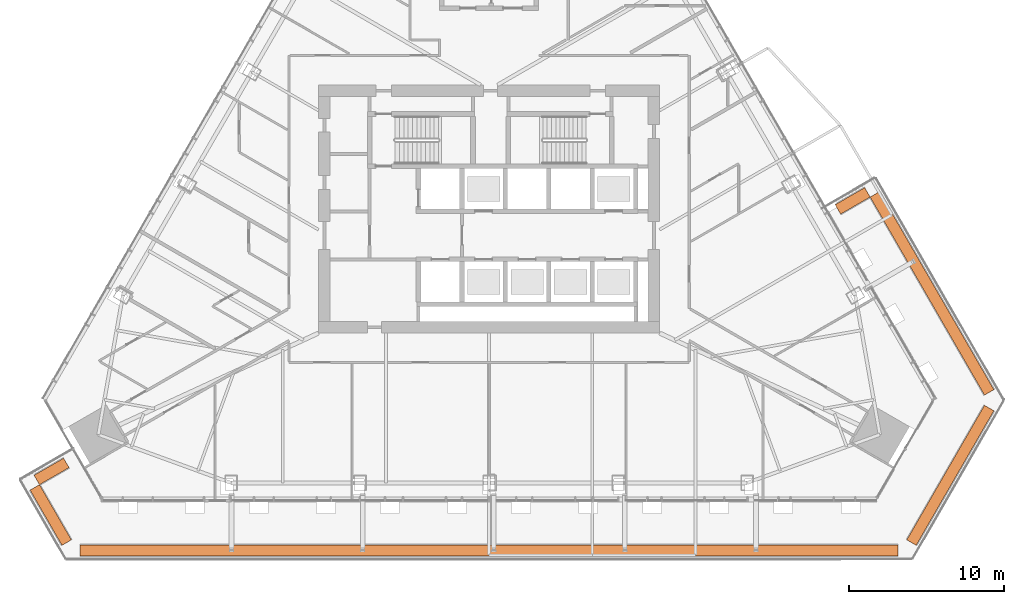
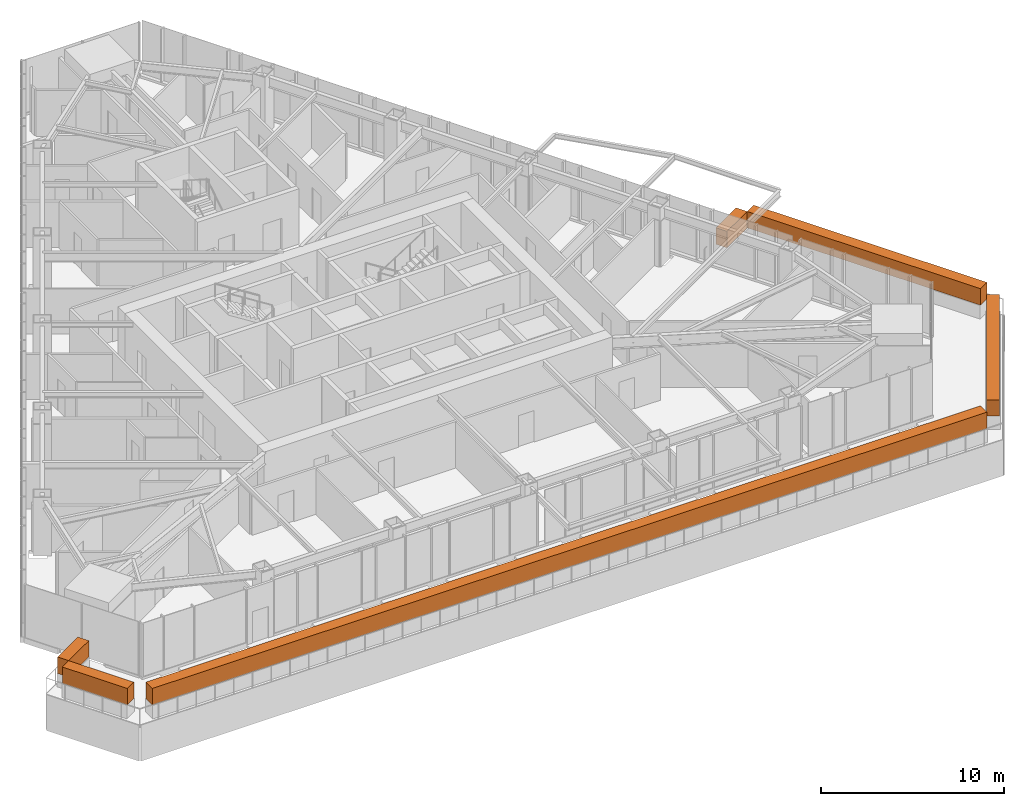
# One storey, part 21 of 21: 6 geographic elements.
"""IFC4 building model written with IfcOpenShell, lengths in metres."""

import ifcopenshell
import ifcopenshell.guid

model = None  # the IFC model being written
_history = None  # IfcOwnerHistory: only IFC2X3 demands one
_inside = {}  # id of a spatial element -> (the spatial element, [elements in it])
_under = {}  # id of a project, library or spatial element -> (it, [spatial elements below it])
_declared = {}  # id of a project -> (the project, [libraries it declares])
_typed = {}  # id of a type object -> (the type object, [elements of that type])
_made_of = {}  # id of a material, layer set ... -> (it, [elements and type objects made of it])


def new_model(schema):
    """Start an empty IFC model of exactly this schema.

    Asked for "IFC4X3", IfcOpenShell would pick the latest addendum, in which some entities
    have other attributes; the version numbers below select the first issue.
    IFC2X3 requires an IfcOwnerHistory on every rooted entity: one is made here for all.
    """
    global model, _history
    if schema == "IFC4X3":
        model = ifcopenshell.file(schema_version=(4, 3, 0, 0))
    else:
        model = ifcopenshell.file(schema=schema)
    _inside.clear()
    _under.clear()
    _declared.clear()
    _typed.clear()
    _made_of.clear()
    _history = None
    if model.schema == "IFC2X3":
        org = make("IfcOrganization", Name="unknown")
        user = make(
            "IfcPersonAndOrganization",
            ThePerson=make("IfcPerson", FamilyName="unknown"),
            TheOrganization=org,
        )
        app = make(
            "IfcApplication",
            ApplicationDeveloper=org,
            Version="unknown",
            ApplicationFullName="unknown",
            ApplicationIdentifier="unknown",
        )
        _history = make(
            "IfcOwnerHistory",
            OwningUser=user,
            OwningApplication=app,
            ChangeAction="ADDED",
            CreationDate=0,
        )
    return model


def make(cls, **values):
    """One entity of the class cls with the attributes given. An attribute that is None is left unset."""
    return model.create_entity(
        cls, **{name: value for name, value in values.items() if value is not None}
    )


def rooted(cls, **values):
    """An entity with a GlobalId (a new one), such as an element, a storey or a relation."""
    return make(cls, GlobalId=ifcopenshell.guid.new(), OwnerHistory=_history, **values)


def si_unit(unit_type, name, prefix=None):
    """IfcSIUnit, for example si_unit("LENGTHUNIT", "METRE", prefix="MILLI")."""
    return make("IfcSIUnit", UnitType=unit_type, Prefix=prefix, Name=name)


def assignment(units):
    """IfcUnitAssignment: the units of a project."""
    return None if units is None else make("IfcUnitAssignment", Units=units)


def point(xyz):
    """IfcCartesianPoint."""
    return None if xyz is None else make("IfcCartesianPoint", Coordinates=xyz)


def direction(xyz):
    """IfcDirection."""
    return None if xyz is None else make("IfcDirection", DirectionRatios=xyz)


def frame(location, z_axis=None, x_axis=None):
    """IfcAxis2Placement3D, a coordinate frame: its origin and axes. An axis left out is left unset."""
    return make(
        "IfcAxis2Placement3D",
        Location=point(location),
        Axis=direction(z_axis),
        RefDirection=direction(x_axis),
    )


def frame_2d(location, x_axis=None):
    """IfcAxis2Placement2D, a coordinate frame in the plane: its origin and x axis."""
    return make(
        "IfcAxis2Placement2D", Location=point(location), RefDirection=direction(x_axis)
    )


def origin():
    """The frame at (0, 0, 0) with its axes left unset."""
    return frame((0.0, 0.0, 0.0))


def origin_2d():
    """The frame at (0, 0) in the plane with its x axis left unset."""
    return frame_2d((0.0, 0.0))


def place(relative_to, where):
    """IfcLocalPlacement: puts the frame where relative to a parent placement (None: the world)."""
    return make(
        "IfcLocalPlacement", PlacementRelTo=relative_to, RelativePlacement=where
    )


def context(
    kind, dimensions, precision=None, world=None, true_north=None, identifier=None
):
    """IfcGeometricRepresentationContext, for example the 3D "Model" context."""
    return make(
        "IfcGeometricRepresentationContext",
        ContextIdentifier=identifier,
        ContextType=kind,
        CoordinateSpaceDimension=dimensions,
        Precision=precision,
        WorldCoordinateSystem=world,
        TrueNorth=true_north,
    )


def subcontext(parent, identifier, kind, view, scale=None):
    """IfcGeometricRepresentationSubContext, for example "Body" below "Model"."""
    return make(
        "IfcGeometricRepresentationSubContext",
        ContextIdentifier=identifier,
        ContextType=kind,
        ParentContext=parent,
        TargetScale=scale,
        TargetView=view,
    )


def project(units=None, contexts=None):
    """IfcProject with its units and contexts."""
    return rooted(
        "IfcProject",
        Name="project",
        RepresentationContexts=contexts,
        UnitsInContext=assignment(units),
    )


def spatial(cls, under=None, at=None, **own):
    """A site, building, storey or space (cls), placed at a placement, below another one or the project."""
    s = rooted(cls, ObjectPlacement=at, **own)
    if under is not None:
        _under.setdefault(under.id(), (under, []))[1].append(s)
    return s


def profile(cls, at=None, kind="AREA", **sizes):
    """A parametric profile (cls). Its sizes go by their IFC names, for example OverallWidth=200.0."""
    return make(cls, ProfileType=kind, Position=at, **sizes)


def rectangle(**sizes):
    """IfcRectangleProfileDef."""
    return profile("IfcRectangleProfileDef", **sizes)


def extrude(swept, where, along, depth):
    """IfcExtrudedAreaSolid: the profile swept, set in the frame where, extruded along a direction by depth."""
    return make(
        "IfcExtrudedAreaSolid",
        SweptArea=swept,
        Position=where,
        ExtrudedDirection=direction(along),
        Depth=depth,
    )


def shape(context_of_items, identifier, shape_type, items):
    """IfcShapeRepresentation: the items that make up one representation, for example the "Body"."""
    return make(
        "IfcShapeRepresentation",
        ContextOfItems=context_of_items,
        RepresentationIdentifier=identifier,
        RepresentationType=shape_type,
        Items=items,
    )


def material(Name=None, Category=None):
    """IfcMaterial."""
    return make("IfcMaterial", Name=Name, Category=Category)


def made_of(thing, what):
    """Note that an element or type object is made of a material, layer set ...; save() writes the relation."""
    if what is not None:
        _made_of.setdefault(what.id(), (what, []))[1].append(thing)
    return thing


def type_object(cls, material=None, **own):
    """A type object (cls), such as IfcWallType, which elements share."""
    return made_of(rooted(cls, **own), material)


def element(
    cls,
    number,
    at=None,
    inside=None,
    cuts=None,
    type_object=None,
    material=None,
    context=None,
    identifier="Body",
    shape_type=None,
    held_by="IfcProductDefinitionShape",
    body=None,
    shapes=None,
    **own,
):
    """One element of the class cls, such as IfcWall. Its Tag is "e" and its number.

    at: its placement. inside: the storey or other place that contains it. cuts: it is an
    opening in that element (IfcRelVoidsElement). A single representation is given by context,
    identifier, shape_type and body (its items); several are given by shapes. held_by: the class
    of the entity that holds the representations. save() writes the other relations.
    """
    e = rooted(cls, Tag="e%d" % number, ObjectPlacement=at, **own)
    if body is not None:
        shapes = [shape(context, identifier, shape_type, body)]
    if shapes is not None:
        e.Representation = make(held_by, Representations=shapes)
    if inside is not None:
        _inside.setdefault(inside.id(), (inside, []))[1].append(e)
    if cuts is not None:
        rooted(
            "IfcRelVoidsElement", RelatingBuildingElement=cuts, RelatedOpeningElement=e
        )
    if type_object is not None:
        _typed.setdefault(type_object.id(), (type_object, []))[1].append(e)
    return made_of(e, material)


def aggregate(whole, parts):
    """IfcRelAggregates: a whole, such as a stair, and the parts it consists of."""
    return rooted("IfcRelAggregates", RelatingObject=whole, RelatedObjects=parts)


def save(model, path):
    """Write the relations noted so far, then the file.

    IfcRelAggregates (storeys below a building ...), IfcRelContainedInSpatialStructure (elements
    in a storey), IfcRelDefinesByType, IfcRelAssociatesMaterial and IfcRelDeclares: one each for
    every whole, place, type object, material and project.
    """
    for whole, parts in _under.values():
        aggregate(whole, parts)
    for where, things in _inside.values():
        rooted(
            "IfcRelContainedInSpatialStructure",
            RelatedElements=things,
            RelatingStructure=where,
        )
    for kind, things in _typed.values():
        rooted("IfcRelDefinesByType", RelatedObjects=things, RelatingType=kind)
    for what, things in _made_of.values():
        rooted("IfcRelAssociatesMaterial", RelatedObjects=things, RelatingMaterial=what)
    for by, libraries in _declared.values():
        rooted("IfcRelDeclares", RelatingContext=by, RelatedDefinitions=libraries)
    model.write(path)


model = new_model("IFC4")

# Units and contexts
model_context = context("Model", 3, precision=1e-05, world=origin(), true_north=direction((0.0, 1.0)))
body_context = subcontext(model_context, "Body", "Model", "MODEL_VIEW")
ifc_project = project(units=[si_unit("LENGTHUNIT", "METRE"), si_unit("AREAUNIT", "SQUARE_METRE"), si_unit("VOLUMEUNIT", "CUBIC_METRE"), si_unit("PLANEANGLEUNIT", "RADIAN"), si_unit("MASSUNIT", "GRAM", prefix="KILO")], contexts=[model_context])

# Site, building, storey
site_placement = place(None, origin())
site = spatial("IfcSite", under=ifc_project, at=site_placement, CompositionType="ELEMENT")
building_placement = place(site_placement, origin())
building = spatial("IfcBuilding", under=site, at=building_placement, Name="Firuza Gate Tower and Library", CompositionType="ELEMENT")
storey_placement = place(building_placement, frame((0.0, 0.0, 222.10009765625)))
storey = spatial("IfcBuildingStorey", under=building, at=storey_placement, Name="L52", CompositionType="ELEMENT", Elevation=222.10009765625)

# Geographic elements
ifc_material = material(Name="Foliage")
geographic_element_type = type_object("IfcGeographicElementType", Name="Planted hedge", PredefinedType="USERDEFINED", material=ifc_material)
geographic_element_1_placement = place(storey_placement, frame((46.790283203125, 58.077880859375, 0.89990234375), z_axis=(0.0, 0.0, 1.0), x_axis=(-0.866025403784, -0.5, 0.0)))
element("IfcGeographicElement", 1, at=geographic_element_1_placement, inside=storey, type_object=geographic_element_type, Name="Planted hedge", ObjectType="HEDGE", PredefinedType="USERDEFINED", context=body_context, shape_type="SweptSolid", body=[
    extrude(rectangle(XDim=2.199951171875, YDim=0.699951171875, at=origin_2d()), origin(), (0.0, 0.0, 1.0), 1.10009765625),
])
geographic_element_2_placement = place(storey_placement, frame((46.73681640625, 55.2705078125, 0.89990234375), z_axis=(0.0, 0.0, 1.0), x_axis=(0.5, -0.866025403784, 0.0)))
element("IfcGeographicElement", 2, at=geographic_element_2_placement, inside=storey, type_object=geographic_element_type, Name="Planted hedge", ObjectType="HEDGE", PredefinedType="USERDEFINED", context=body_context, shape_type="SweptSolid", body=[
    extrude(rectangle(XDim=4.109375, YDim=0.699951171875, at=origin_2d()), origin(), (0.0, 0.0, 1.0), 1.10009765625),
])
geographic_element_3_placement = place(storey_placement, frame((75.0, 52.986572265625, 0.89990234375), z_axis=(0.0, 0.0, 1.0), x_axis=(1.0, 0.0, 0.0)))
element("IfcGeographicElement", 3, at=geographic_element_3_placement, inside=storey, type_object=geographic_element_type, Name="Planted hedge", ObjectType="HEDGE", PredefinedType="USERDEFINED", context=body_context, shape_type="SweptSolid", body=[
    extrude(rectangle(XDim=52.724365234375, YDim=0.699951171875, at=origin_2d()), origin(), (0.0, 0.0, 1.0), 1.10009765625),
])
geographic_element_4_placement = place(storey_placement, frame((104.740478515625, 57.829345703125, 0.89990234375), z_axis=(0.0, 0.0, 1.0), x_axis=(0.5, 0.866025403784, 0.0)))
element("IfcGeographicElement", 4, at=geographic_element_4_placement, inside=storey, type_object=geographic_element_type, Name="Planted hedge", ObjectType="HEDGE", PredefinedType="USERDEFINED", context=body_context, shape_type="SweptSolid", body=[
    extrude(rectangle(XDim=10.018798828125, YDim=0.699951171875, at=origin_2d()), origin(), (0.0, 0.0, 1.0), 1.10009765625),
])
geographic_element_5_placement = place(storey_placement, frame((103.55908203125, 69.56103515625, 0.89990234375), z_axis=(0.0, 0.0, 1.0), x_axis=(-0.5, 0.866025403784, 0.0)))
element("IfcGeographicElement", 5, at=geographic_element_5_placement, inside=storey, type_object=geographic_element_type, Name="Planted hedge", ObjectType="HEDGE", PredefinedType="USERDEFINED", context=body_context, shape_type="SweptSolid", body=[
    extrude(rectangle(XDim=14.74462890625, YDim=0.699951171875, at=origin_2d()), origin(), (0.0, 0.0, 1.0), 1.10009765625),
])
geographic_element_6_placement = place(storey_placement, frame((98.442138671875, 75.523681640625, 0.89990234375), z_axis=(0.0, 0.0, 1.0), x_axis=(-0.866025403784, -0.5, 0.0)))
element("IfcGeographicElement", 6, at=geographic_element_6_placement, inside=storey, type_object=geographic_element_type, Name="Planted hedge", ObjectType="HEDGE", PredefinedType="USERDEFINED", context=body_context, shape_type="SweptSolid", body=[
    extrude(rectangle(XDim=2.199951171875, YDim=0.699951171875, at=origin_2d()), origin(), (0.0, 0.0, 1.0), 1.10009765625),
])

save(model, "model.ifc")
